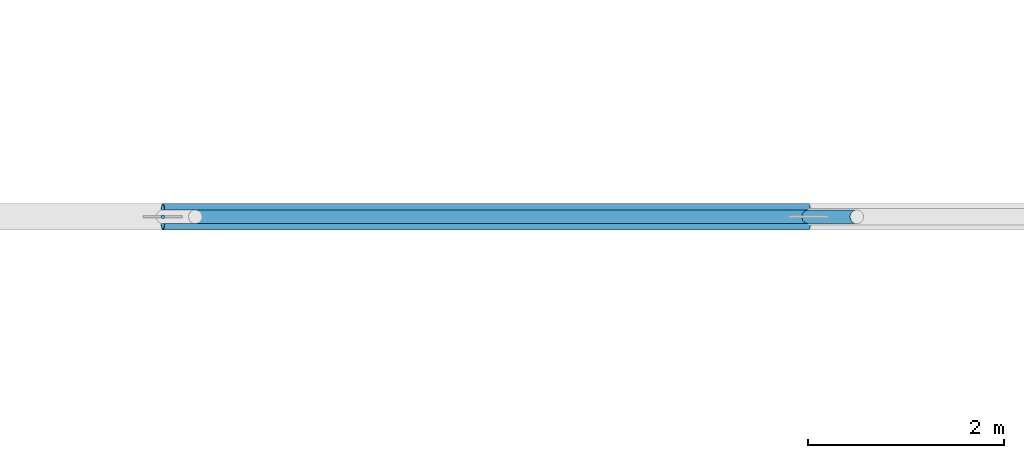
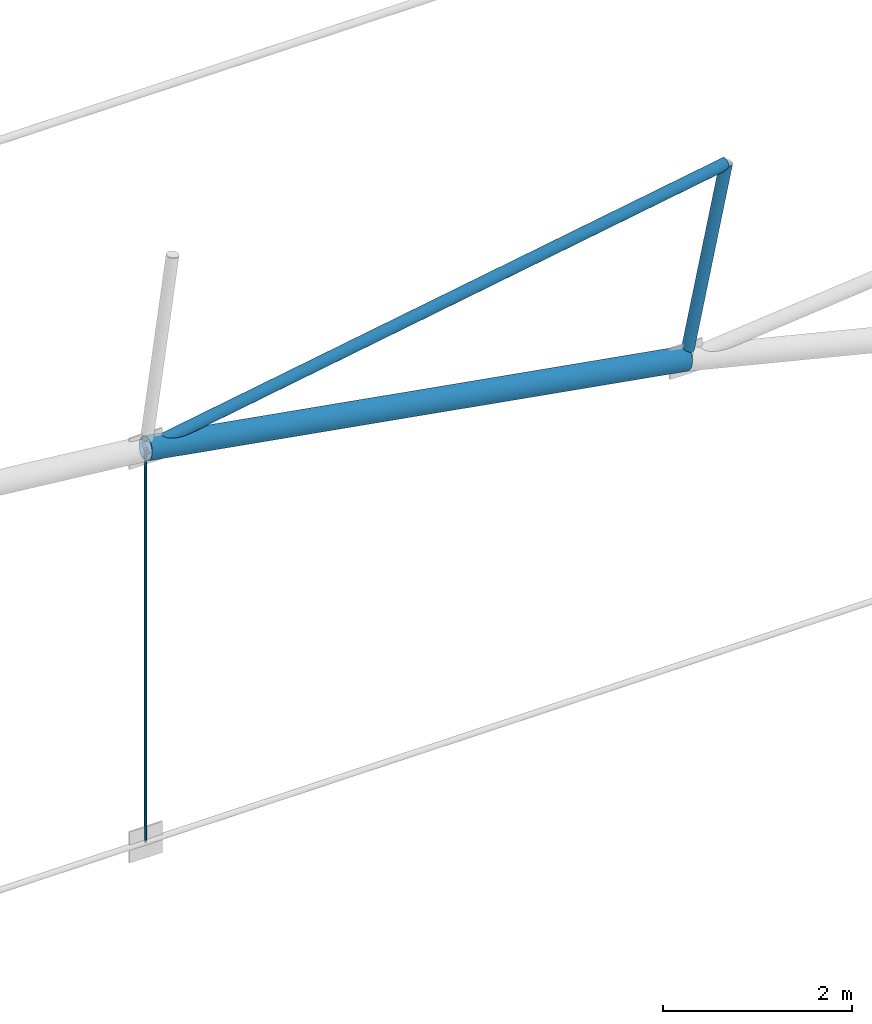
# One storey, part 51 of 321: 4 members.
"""IFC4 building model written with IfcOpenShell, lengths in metres."""

import ifcopenshell
import ifcopenshell.guid

model = None  # the IFC model being written
_history = None  # IfcOwnerHistory: only IFC2X3 demands one
_inside = {}  # id of a spatial element -> (the spatial element, [elements in it])
_under = {}  # id of a project, library or spatial element -> (it, [spatial elements below it])
_declared = {}  # id of a project -> (the project, [libraries it declares])
_typed = {}  # id of a type object -> (the type object, [elements of that type])
_made_of = {}  # id of a material, layer set ... -> (it, [elements and type objects made of it])


def new_model(schema):
    """Start an empty IFC model of exactly this schema.

    Asked for "IFC4X3", IfcOpenShell would pick the latest addendum, in which some entities
    have other attributes; the version numbers below select the first issue.
    IFC2X3 requires an IfcOwnerHistory on every rooted entity: one is made here for all.
    """
    global model, _history
    if schema == "IFC4X3":
        model = ifcopenshell.file(schema_version=(4, 3, 0, 0))
    else:
        model = ifcopenshell.file(schema=schema)
    _inside.clear()
    _under.clear()
    _declared.clear()
    _typed.clear()
    _made_of.clear()
    _history = None
    if model.schema == "IFC2X3":
        org = make("IfcOrganization", Name="unknown")
        user = make(
            "IfcPersonAndOrganization",
            ThePerson=make("IfcPerson", FamilyName="unknown"),
            TheOrganization=org,
        )
        app = make(
            "IfcApplication",
            ApplicationDeveloper=org,
            Version="unknown",
            ApplicationFullName="unknown",
            ApplicationIdentifier="unknown",
        )
        _history = make(
            "IfcOwnerHistory",
            OwningUser=user,
            OwningApplication=app,
            ChangeAction="ADDED",
            CreationDate=0,
        )
    return model


def make(cls, **values):
    """One entity of the class cls with the attributes given. An attribute that is None is left unset."""
    return model.create_entity(
        cls, **{name: value for name, value in values.items() if value is not None}
    )


def rooted(cls, **values):
    """An entity with a GlobalId (a new one), such as an element, a storey or a relation."""
    return make(cls, GlobalId=ifcopenshell.guid.new(), OwnerHistory=_history, **values)


def si_unit(unit_type, name, prefix=None):
    """IfcSIUnit, for example si_unit("LENGTHUNIT", "METRE", prefix="MILLI")."""
    return make("IfcSIUnit", UnitType=unit_type, Prefix=prefix, Name=name)


def assignment(units):
    """IfcUnitAssignment: the units of a project."""
    return None if units is None else make("IfcUnitAssignment", Units=units)


def point(xyz):
    """IfcCartesianPoint."""
    return None if xyz is None else make("IfcCartesianPoint", Coordinates=xyz)


def direction(xyz):
    """IfcDirection."""
    return None if xyz is None else make("IfcDirection", DirectionRatios=xyz)


def frame(location, z_axis=None, x_axis=None):
    """IfcAxis2Placement3D, a coordinate frame: its origin and axes. An axis left out is left unset."""
    return make(
        "IfcAxis2Placement3D",
        Location=point(location),
        Axis=direction(z_axis),
        RefDirection=direction(x_axis),
    )


def frame_2d(location, x_axis=None):
    """IfcAxis2Placement2D, a coordinate frame in the plane: its origin and x axis."""
    return make(
        "IfcAxis2Placement2D", Location=point(location), RefDirection=direction(x_axis)
    )


def origin():
    """The frame at (0, 0, 0) with its axes left unset."""
    return frame((0.0, 0.0, 0.0))


def origin_2d():
    """The frame at (0, 0) in the plane with its x axis left unset."""
    return frame_2d((0.0, 0.0))


def place(relative_to, where):
    """IfcLocalPlacement: puts the frame where relative to a parent placement (None: the world)."""
    return make(
        "IfcLocalPlacement", PlacementRelTo=relative_to, RelativePlacement=where
    )


def context(
    kind, dimensions, precision=None, world=None, true_north=None, identifier=None
):
    """IfcGeometricRepresentationContext, for example the 3D "Model" context."""
    return make(
        "IfcGeometricRepresentationContext",
        ContextIdentifier=identifier,
        ContextType=kind,
        CoordinateSpaceDimension=dimensions,
        Precision=precision,
        WorldCoordinateSystem=world,
        TrueNorth=true_north,
    )


def subcontext(parent, identifier, kind, view, scale=None):
    """IfcGeometricRepresentationSubContext, for example "Body" below "Model"."""
    return make(
        "IfcGeometricRepresentationSubContext",
        ContextIdentifier=identifier,
        ContextType=kind,
        ParentContext=parent,
        TargetScale=scale,
        TargetView=view,
    )


def project(units=None, contexts=None):
    """IfcProject with its units and contexts."""
    return rooted(
        "IfcProject",
        Name="project",
        RepresentationContexts=contexts,
        UnitsInContext=assignment(units),
    )


def spatial(cls, under=None, at=None, **own):
    """A site, building, storey or space (cls), placed at a placement, below another one or the project."""
    s = rooted(cls, ObjectPlacement=at, **own)
    if under is not None:
        _under.setdefault(under.id(), (under, []))[1].append(s)
    return s


def profile(cls, at=None, kind="AREA", **sizes):
    """A parametric profile (cls). Its sizes go by their IFC names, for example OverallWidth=200.0."""
    return make(cls, ProfileType=kind, Position=at, **sizes)


def circle(**sizes):
    """IfcCircleProfileDef."""
    return profile("IfcCircleProfileDef", **sizes)


def hollow_circle(**sizes):
    """IfcCircleHollowProfileDef."""
    return profile("IfcCircleHollowProfileDef", **sizes)


def extrude(swept, where, along, depth):
    """IfcExtrudedAreaSolid: the profile swept, set in the frame where, extruded along a direction by depth."""
    return make(
        "IfcExtrudedAreaSolid",
        SweptArea=swept,
        Position=where,
        ExtrudedDirection=direction(along),
        Depth=depth,
    )


def shape(context_of_items, identifier, shape_type, items):
    """IfcShapeRepresentation: the items that make up one representation, for example the "Body"."""
    return make(
        "IfcShapeRepresentation",
        ContextOfItems=context_of_items,
        RepresentationIdentifier=identifier,
        RepresentationType=shape_type,
        Items=items,
    )


def material(Name=None, Category=None):
    """IfcMaterial."""
    return make("IfcMaterial", Name=Name, Category=Category)


def material_profile(
    of_material, cross_section, Name=None, Category=None, Priority=None
):
    """IfcMaterialProfile: a cross section and its material."""
    return make(
        "IfcMaterialProfile",
        Name=Name,
        Material=of_material,
        Profile=cross_section,
        Priority=Priority,
        Category=Category,
    )


def profile_set(profiles, Name=None, composite=None):
    """IfcMaterialProfileSet."""
    return make(
        "IfcMaterialProfileSet",
        Name=Name,
        MaterialProfiles=profiles,
        CompositeProfile=composite,
    )


def made_of(thing, what):
    """Note that an element or type object is made of a material, layer set ...; save() writes the relation."""
    if what is not None:
        _made_of.setdefault(what.id(), (what, []))[1].append(thing)
    return thing


def type_object(cls, material=None, **own):
    """A type object (cls), such as IfcWallType, which elements share."""
    return made_of(rooted(cls, **own), material)


def element(
    cls,
    number,
    at=None,
    inside=None,
    cuts=None,
    type_object=None,
    material=None,
    context=None,
    identifier="Body",
    shape_type=None,
    held_by="IfcProductDefinitionShape",
    body=None,
    shapes=None,
    **own,
):
    """One element of the class cls, such as IfcWall. Its Tag is "e" and its number.

    at: its placement. inside: the storey or other place that contains it. cuts: it is an
    opening in that element (IfcRelVoidsElement). A single representation is given by context,
    identifier, shape_type and body (its items); several are given by shapes. held_by: the class
    of the entity that holds the representations. save() writes the other relations.
    """
    e = rooted(cls, Tag="e%d" % number, ObjectPlacement=at, **own)
    if body is not None:
        shapes = [shape(context, identifier, shape_type, body)]
    if shapes is not None:
        e.Representation = make(held_by, Representations=shapes)
    if inside is not None:
        _inside.setdefault(inside.id(), (inside, []))[1].append(e)
    if cuts is not None:
        rooted(
            "IfcRelVoidsElement", RelatingBuildingElement=cuts, RelatedOpeningElement=e
        )
    if type_object is not None:
        _typed.setdefault(type_object.id(), (type_object, []))[1].append(e)
    return made_of(e, material)


def aggregate(whole, parts):
    """IfcRelAggregates: a whole, such as a stair, and the parts it consists of."""
    return rooted("IfcRelAggregates", RelatingObject=whole, RelatedObjects=parts)


def save(model, path):
    """Write the relations noted so far, then the file.

    IfcRelAggregates (storeys below a building ...), IfcRelContainedInSpatialStructure (elements
    in a storey), IfcRelDefinesByType, IfcRelAssociatesMaterial and IfcRelDeclares: one each for
    every whole, place, type object, material and project.
    """
    for whole, parts in _under.values():
        aggregate(whole, parts)
    for where, things in _inside.values():
        rooted(
            "IfcRelContainedInSpatialStructure",
            RelatedElements=things,
            RelatingStructure=where,
        )
    for kind, things in _typed.values():
        rooted("IfcRelDefinesByType", RelatedObjects=things, RelatingType=kind)
    for what, things in _made_of.values():
        rooted("IfcRelAssociatesMaterial", RelatedObjects=things, RelatingMaterial=what)
    for by, libraries in _declared.values():
        rooted("IfcRelDeclares", RelatingContext=by, RelatedDefinitions=libraries)
    model.write(path)


model = new_model("IFC4")

# Units and contexts
model_context = context("Model", 3, precision=1e-05, world=origin(), true_north=direction((0.0, 1.0)))
body_context = subcontext(model_context, "Body", "Model", "MODEL_VIEW")
ifc_project = project(units=[si_unit("LENGTHUNIT", "METRE"), si_unit("AREAUNIT", "SQUARE_METRE"), si_unit("VOLUMEUNIT", "CUBIC_METRE"), si_unit("PLANEANGLEUNIT", "RADIAN"), si_unit("MASSUNIT", "GRAM", prefix="KILO")], contexts=[model_context])

# Site, building, storey
site_placement = place(None, origin())
site = spatial("IfcSite", under=ifc_project, at=site_placement, CompositionType="ELEMENT")
building_placement = place(site_placement, origin())
building = spatial("IfcBuilding", under=site, at=building_placement, Name="Ravi Spectrum Wholesale Market", CompositionType="ELEMENT")
storey_placement = place(building_placement, frame((0.0, 0.0, 10.800048828125)))
storey = spatial("IfcBuildingStorey", under=building, at=storey_placement, Name="L02", CompositionType="ELEMENT", Elevation=10.800048828125)

# Members
ifc_material_1 = material(Name="Steel S355", Category="steel")
ifc_material_profile_1 = material_profile(ifc_material_1, hollow_circle(Radius=0.06982421875, WallThickness=0.0048828125, at=origin_2d()))
ifc_profile_set_1 = profile_set([ifc_material_profile_1], Name="Steel S355")
member_type_1 = type_object("IfcMemberType", Name="CHS 139.7x5 brace", PredefinedType="BRACE", material=ifc_profile_set_1)
member_1_placement = place(storey_placement, frame((90.44140625, 66.0, 6.30224609375), z_axis=(-0.985982518253, 0.0, -0.166848655074), x_axis=(0.0, -1.0, 0.0)))
element("IfcMember", 1, at=member_1_placement, inside=storey, type_object=member_type_1, Name="H1-MB-L02-316", PredefinedType="BRACE", context=body_context, shape_type="SweptSolid", body=[
    extrude(hollow_circle(Radius=0.06982421875, WallThickness=0.0048828125, at=origin_2d()), origin(), (0.0, 0.0, 1.0), 7.1904296875),
])
ifc_material_2 = material(Name="Steel S355", Category="steel")
ifc_material_profile_2 = material_profile(ifc_material_2, hollow_circle(Radius=0.06982421875, WallThickness=0.0048828125, at=origin_2d()))
ifc_profile_set_2 = profile_set([ifc_material_profile_2], Name="Steel S355")
member_type_2 = type_object("IfcMemberType", Name="CHS 139.7x5 post", PredefinedType="POST", material=ifc_profile_set_2)
member_2_placement = place(storey_placement, frame((90.44140625, 66.0, 6.30224609375), z_axis=(-0.20547728987, 0.0, -0.978661884078), x_axis=(0.0, -1.0, 0.0)))
element("IfcMember", 2, at=member_2_placement, inside=storey, type_object=member_type_2, Name="H1-MB-L02-306", PredefinedType="POST", context=body_context, shape_type="SweptSolid", body=[
    extrude(hollow_circle(Radius=0.06982421875, WallThickness=0.0048828125, at=origin_2d()), origin(), (0.0, 0.0, 1.0), 2.400146484375),
])
ifc_material_3 = material(Name="Steel S355", Category="steel")
ifc_material_profile_3 = material_profile(ifc_material_3, hollow_circle(Radius=0.136474609375, WallThickness=0.010009765625, at=origin_2d()))
ifc_profile_set_3 = profile_set([ifc_material_profile_3], Name="Steel S355")
member_type_3 = type_object("IfcMemberType", Name="CHS 273x10 chord", PredefinedType="CHORD", material=ifc_profile_set_3)
member_3_placement = place(storey_placement, frame((83.351806640625, 66.0, 5.1025390625), z_axis=(0.985162205886, 0.0, -0.171625837489), x_axis=(0.0, 1.0, 0.0)))
element("IfcMember", 3, at=member_3_placement, inside=storey, type_object=member_type_3, Name="H1-MB-L02-294", PredefinedType="CHORD", context=body_context, shape_type="SweptSolid", body=[
    extrude(hollow_circle(Radius=0.136474609375, WallThickness=0.010009765625, at=origin_2d()), origin(), (0.0, 0.0, 1.0), 6.69580078125),
])
ifc_material_4 = material(Name="Steel S355", Category="steel")
ifc_material_profile_4 = material_profile(ifc_material_4, circle(Radius=0.01806640625, at=origin_2d()))
ifc_profile_set_4 = profile_set([ifc_material_profile_4], Name="Steel S355")
member_type_4 = type_object("IfcMemberType", Name="ROD 36 hanger", PredefinedType="STRUT", material=ifc_profile_set_4)
member_4_placement = place(storey_placement, frame((83.351806640625, 66.0, 0.023193359375), z_axis=(0.0, 0.0, 1.0), x_axis=(1.0, 0.0, 0.0)))
element("IfcMember", 4, at=member_4_placement, inside=storey, type_object=member_type_4, Name="H1-MB-L02-323", PredefinedType="STRUT", context=body_context, shape_type="SweptSolid", body=[
    extrude(circle(Radius=0.01806640625, at=origin_2d()), origin(), (0.0, 0.0, 1.0), 5.079345703125),
])

save(model, "model.ifc")
